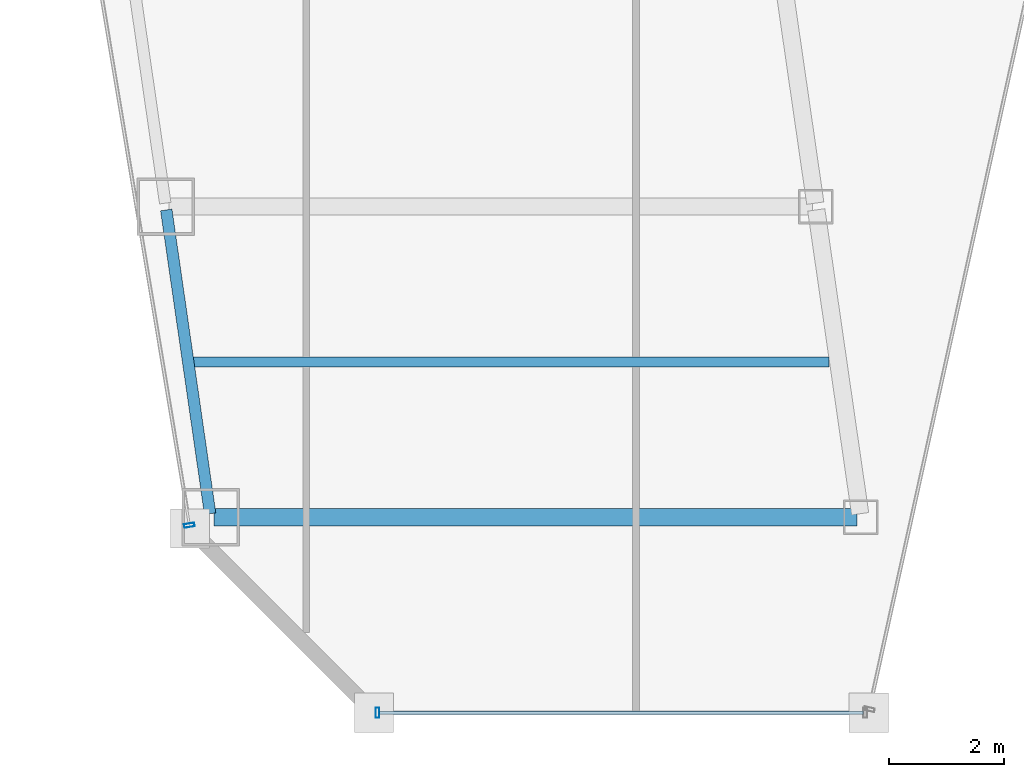
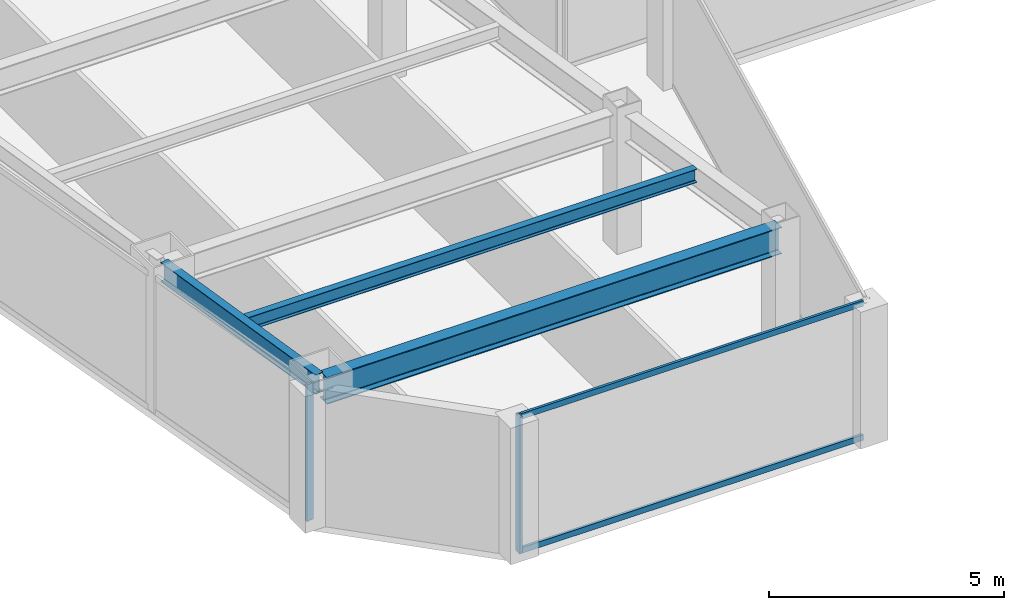
# One storey, part 2 of 37: 4 members, 3 beams, 2 elements without a shape of their own.
"""IFC4 building model written with IfcOpenShell, lengths in metres."""

from ifc_helpers import new_model, si_unit, direction, frame, origin, origin_2d, place, context, subcontext, project, spatial, hollow_rectangle, i_section, extrude, material, material_profile, profile_set, type_object, element, aggregate, save


model = new_model("IFC4")

# Units and contexts
model_context = context("Model", 3, precision=1e-05, world=origin(), true_north=direction((0.0, 1.0)))
body_context = subcontext(model_context, "Body", "Model", "MODEL_VIEW")
ifc_project = project(units=[si_unit("LENGTHUNIT", "METRE"), si_unit("AREAUNIT", "SQUARE_METRE"), si_unit("VOLUMEUNIT", "CUBIC_METRE"), si_unit("PLANEANGLEUNIT", "RADIAN"), si_unit("MASSUNIT", "GRAM", prefix="KILO")], contexts=[model_context])

# Site, building, storey
site_placement = place(None, origin())
site = spatial("IfcSite", under=ifc_project, at=site_placement, CompositionType="ELEMENT")
building_placement = place(site_placement, origin())
building = spatial("IfcBuilding", under=site, at=building_placement, Name="Saevonmaru Cultural Tower", CompositionType="ELEMENT")
storey_placement = place(building_placement, frame((0.0, 0.0, 160.0)))
storey = spatial("IfcBuildingStorey", under=building, at=storey_placement, Name="L35", CompositionType="ELEMENT", Elevation=160.0)

# Beams
ifc_material_1 = material(Name="Steel SM355", Category="steel")
ifc_material_profile_1 = material_profile(ifc_material_1, i_section(OverallWidth=0.300048828125, OverallDepth=0.699951171875, WebThickness=0.012939453125, FlangeThickness=0.02392578125, FilletRadius=0.02587890625, at=origin_2d()), Name="H-700x300x13x24")
ifc_profile_set_1 = profile_set([ifc_material_profile_1], Name="Steel SM355")
beam_type_1 = type_object("IfcBeamType", Name="BM-G-H700", PredefinedType="BEAM", material=ifc_profile_set_1)
beam_1_placement = place(storey_placement, frame((11.468017578125, 10.60009765625, 3.199951171875), z_axis=(1.0, 0.0, 0.0), x_axis=(0.0, 1.0, 0.0)))
element("IfcBeam", 1, at=beam_1_placement, inside=storey, type_object=beam_type_1, Name="L35 West Wing Transverse Girder 1", PredefinedType="BEAM", context=body_context, shape_type="SweptSolid", body=[
    extrude(i_section(OverallWidth=0.300048828125, OverallDepth=0.699951171875, WebThickness=0.012939453125, FlangeThickness=0.02392578125, FilletRadius=0.02587890625, at=origin_2d()), origin(), (0.0, 0.0, 1.0), 11.179931640625),
])
ifc_material_profile_2 = material_profile(ifc_material_1, i_section(OverallWidth=0.175048828125, OverallDepth=0.35009765625, WebThickness=0.007080078125, FlangeThickness=0.010986328125, FilletRadius=0.012939453125, at=origin_2d()), Name="H-350x175x7x11")
ifc_profile_set_2 = profile_set([ifc_material_profile_2], Name="Steel SM355")
beam_type_2 = type_object("IfcBeamType", Name="BM-J-H350", PredefinedType="JOIST", material=ifc_profile_set_2)
beam_2_placement = place(storey_placement, frame((11.077880859375, 13.300048828125, 3.375), z_axis=(1.0, 0.0, 0.0), x_axis=(0.0, 1.0, 0.0)))
element("IfcBeam", 2, at=beam_2_placement, inside=storey, type_object=beam_type_2, Name="L35 West Wing Floor Joist 1", PredefinedType="JOIST", context=body_context, shape_type="SweptSolid", body=[
    extrude(i_section(OverallWidth=0.175048828125, OverallDepth=0.35009765625, WebThickness=0.007080078125, FlangeThickness=0.010986328125, FilletRadius=0.012939453125, at=origin_2d()), origin(), (0.0, 0.0, 1.0), 11.08203125),
])
ifc_material_profile_3 = material_profile(ifc_material_1, i_section(OverallWidth=0.199951171875, OverallDepth=0.5, WebThickness=0.010009765625, FlangeThickness=0.01611328125, FilletRadius=0.02001953125, at=origin_2d()), Name="H-500x200x10x16")
ifc_profile_set_3 = profile_set([ifc_material_profile_3], Name="Steel SM355")
beam_type_3 = type_object("IfcBeamType", Name="BM-SP-H500", PredefinedType="SPANDREL", material=ifc_profile_set_3)
beam_3_placement = place(storey_placement, frame((11.3994140625, 10.659423828125, 3.300048828125), z_axis=(-0.1429328758, 0.989732384544, 0.0), x_axis=(-0.989732384544, -0.1429328758, 0.0)))
element("IfcBeam", 3, at=beam_3_placement, inside=storey, type_object=beam_type_3, Name="L35 West Splayed Spandrel 1", PredefinedType="SPANDREL", context=body_context, shape_type="SweptSolid", body=[
    extrude(i_section(OverallWidth=0.199951171875, OverallDepth=0.5, WebThickness=0.010009765625, FlangeThickness=0.01611328125, FilletRadius=0.02001953125, at=origin_2d()), origin(), (0.0, 0.0, 1.0), 5.3359375),
])

# Curtain wall, member
ifc_material_2 = material(Name="Satin Bronze Anodised Aluminium", Category="aluminium")
curtain_wall_type = type_object("IfcCurtainWallType", Name="CW-TYP-A", PredefinedType="NOTDEFINED", material=ifc_material_2)
curtain_wall_1_placement = place(storey_placement, origin())
curtain_wall_1 = element("IfcCurtainWall", 4, at=curtain_wall_1_placement, inside=storey, type_object=curtain_wall_type, Name="L35 Unitised Curtain Wall E2", PredefinedType="NOTDEFINED")
ifc_material_profile_4 = material_profile(ifc_material_2, hollow_rectangle(XDim=0.06494140625, YDim=0.179931640625, WallThickness=0.00390625, at=origin_2d()), Name="ALU-MULL-180x65x4")
ifc_profile_set_4 = profile_set([ifc_material_profile_4], Name="Satin Bronze Anodised Aluminium")
member_type_1 = type_object("IfcMemberType", Name="ML-CW-180x65", PredefinedType="MULLION", material=ifc_profile_set_4)
member_1_placement = place(storey_placement, frame((14.308837890625, 7.199951171875, 0.0), z_axis=(0.0, 0.0, 1.0), x_axis=(1.0, 0.0, 0.0)))
member_1 = element("IfcMember", 5, at=member_1_placement, type_object=member_type_1, Name="CW-TW-L35-E2 mullion 1", PredefinedType="MULLION", context=body_context, shape_type="SweptSolid", body=[
    extrude(hollow_rectangle(XDim=0.06494140625, YDim=0.179931640625, WallThickness=0.00390625, at=origin_2d()), origin(), (0.0, 0.0, 1.0), 3.550048828125),
])

curtain_wall_2_placement = place(storey_placement, origin())
curtain_wall_2 = element("IfcCurtainWall", 6, at=curtain_wall_2_placement, inside=storey, type_object=curtain_wall_type, Name="L35 Unitised Curtain Wall E12", PredefinedType="NOTDEFINED")
member_2_placement = place(storey_placement, frame((11.0390625, 10.459228515625, 0.0), z_axis=(0.0, 0.0, 1.0), x_axis=(0.163998702345, -0.986460554523, 0.0)))
member_2 = element("IfcMember", 7, at=member_2_placement, type_object=member_type_1, Name="CW-TW-L35-E12 mullion 5", PredefinedType="MULLION", context=body_context, shape_type="SweptSolid", body=[
    extrude(hollow_rectangle(XDim=0.06494140625, YDim=0.179931640625, WallThickness=0.00390625, at=origin_2d()), origin(), (0.0, 0.0, 1.0), 3.550048828125),
])
aggregate(curtain_wall_2, [member_2])

# Member
ifc_material_profile_5 = material_profile(ifc_material_2, hollow_rectangle(XDim=0.06494140625, YDim=0.14990234375, WallThickness=0.00390625, at=origin_2d()), Name="ALU-TRAN-150x65x4")
ifc_profile_set_5 = profile_set([ifc_material_profile_5], Name="Satin Bronze Anodised Aluminium")
member_type_2 = type_object("IfcMemberType", Name="TR-CW-150x65", PredefinedType="USERDEFINED", material=ifc_profile_set_5)
member_3_placement = place(storey_placement, frame((14.34130859375, 7.199951171875, 0.032470703125), z_axis=(1.0, 0.0, 0.0), x_axis=(0.0, 1.0, 0.0)))
member_3 = element("IfcMember", 8, at=member_3_placement, type_object=member_type_2, Name="CW-TW-L35-E2 transom 1.1", ObjectType="TRANSOM", PredefinedType="USERDEFINED", context=body_context, shape_type="SweptSolid", body=[
    extrude(hollow_rectangle(XDim=0.06494140625, YDim=0.14990234375, WallThickness=0.00390625, at=origin_2d()), origin(), (0.0, 0.0, 1.0), 8.4150390625),
])

member_4_placement = place(storey_placement, frame((14.34130859375, 7.199951171875, 3.517578125), z_axis=(1.0, 0.0, 0.0), x_axis=(0.0, 1.0, 0.0)))
member_4 = element("IfcMember", 9, at=member_4_placement, type_object=member_type_2, Name="CW-TW-L35-E2 transom 1.2", ObjectType="TRANSOM", PredefinedType="USERDEFINED", context=body_context, shape_type="SweptSolid", body=[
    extrude(hollow_rectangle(XDim=0.06494140625, YDim=0.14990234375, WallThickness=0.00390625, at=origin_2d()), origin(), (0.0, 0.0, 1.0), 8.4150390625),
])

aggregate(curtain_wall_1, [member_1, member_3, member_4])

save(model, "model.ifc")
